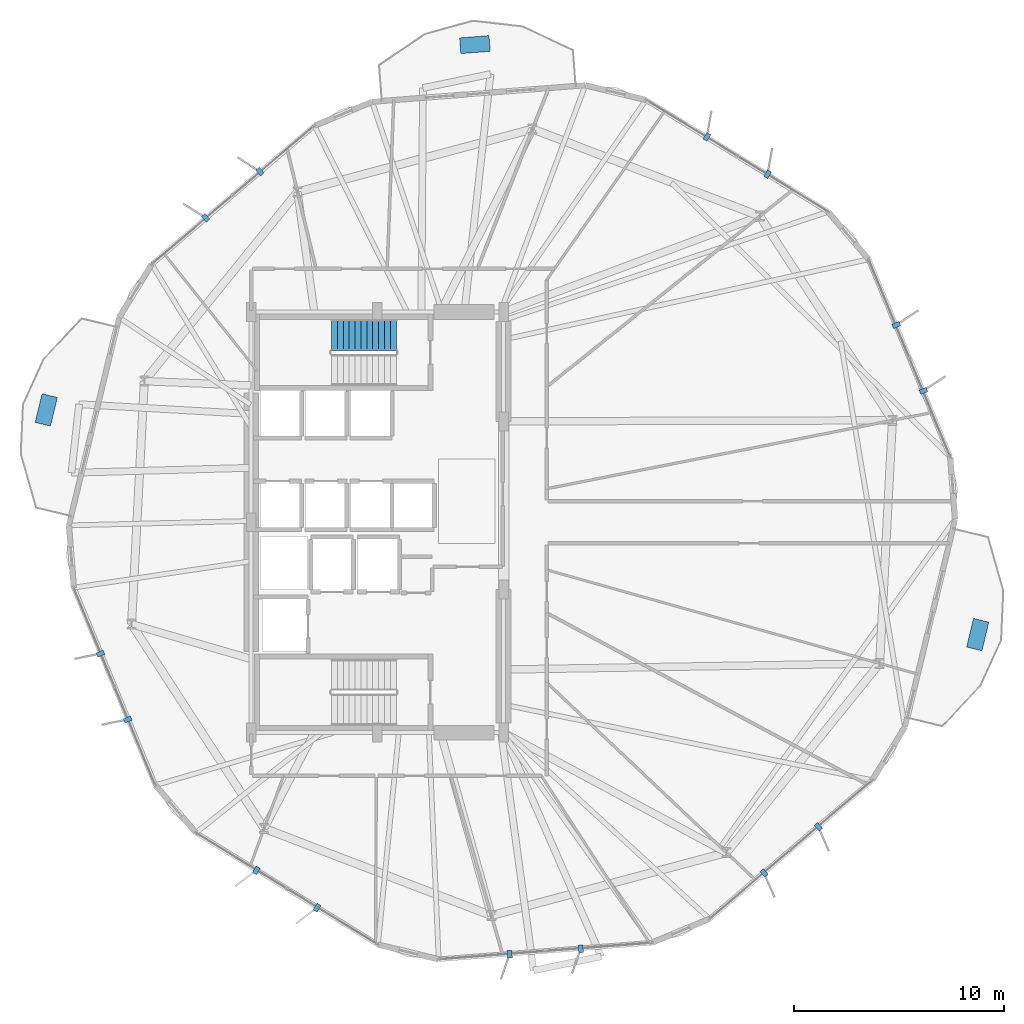
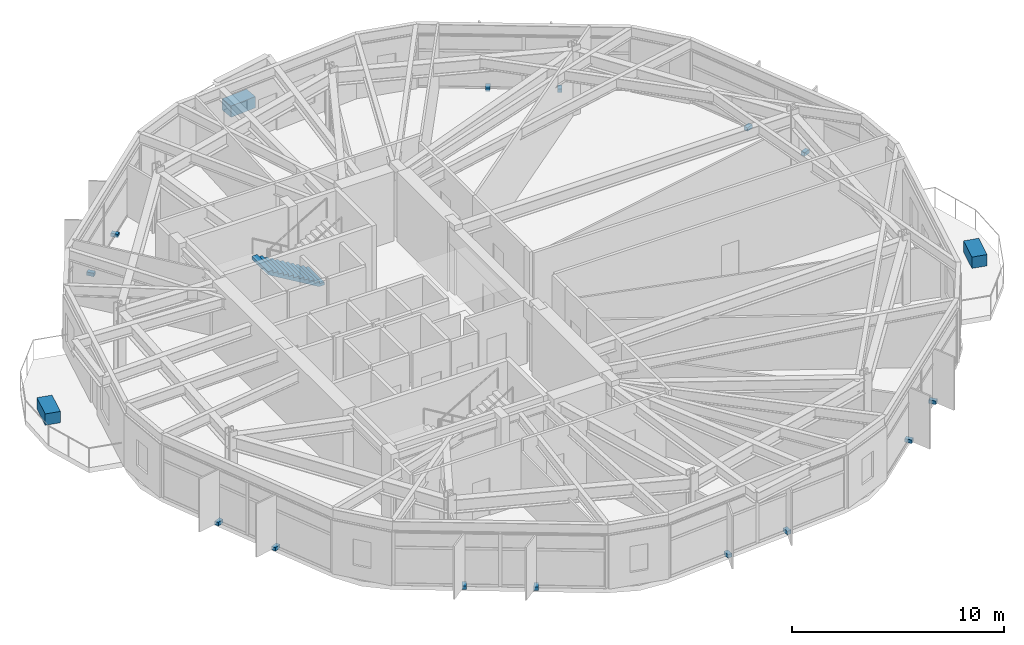
# One storey, part 19 of 22: 17 discrete accessories, 1 stair flight, 1 element without a shape of its own.
"""IFC4 building model written with IfcOpenShell, lengths in metres."""

from ifc_helpers import new_model, si_unit, direction, frame, origin, origin_2d, place, context, subcontext, project, spatial, polyline, rectangle, outline, extrude, material, layer, layer_set, type_object, element, aggregate, save


model = new_model("IFC4")

# Units and contexts
model_context = context("Model", 3, precision=1e-05, world=origin(), true_north=direction((0.0, 1.0)))
body_context = subcontext(model_context, "Body", "Model", "MODEL_VIEW")
ifc_project = project(units=[si_unit("LENGTHUNIT", "METRE"), si_unit("AREAUNIT", "SQUARE_METRE"), si_unit("VOLUMEUNIT", "CUBIC_METRE"), si_unit("PLANEANGLEUNIT", "RADIAN"), si_unit("MASSUNIT", "GRAM", prefix="KILO")], contexts=[model_context])

# Site, building, storey
site_placement = place(None, origin())
site = spatial("IfcSite", under=ifc_project, at=site_placement, CompositionType="ELEMENT")
building_placement = place(site_placement, origin())
building = spatial("IfcBuilding", under=site, at=building_placement, Name="Soratama Intermodal Tower", CompositionType="ELEMENT")
storey_placement = place(building_placement, frame((0.0, 0.0, 50.60009765625)))
storey = spatial("IfcBuildingStorey", under=building, at=storey_placement, Name="L11", CompositionType="ELEMENT", Elevation=50.60009765625)

# Stair, stair flight
ifc_material_1 = material(Name="Concrete f'c 42 MPa", Category="concrete")
stair_type = type_object("IfcStairType", Name="ST-CORE-DOGLEG", PredefinedType="HALF_TURN_STAIR", material=ifc_material_1)
stair_placement = place(storey_placement, origin())
stair = element("IfcStair", 1, at=stair_placement, inside=storey, type_object=stair_type, Name="L11 ST-2", PredefinedType="HALF_TURN_STAIR")
ifc_material_2 = material(Name="Precast concrete f'c 40 MPa", Category="concrete")
ifc_layer = layer(ifc_material_2, 0.199951171875)
ifc_layer_set = layer_set([ifc_layer], Name="Precast concrete f'c 40 MPa")
stair_flight_type = type_object("IfcStairFlightType", Name="SF-FLIGHT-RC", PredefinedType="STRAIGHT", material=ifc_layer_set)
stair_flight_placement = place(storey_placement, frame((39.5, 33.89990234375, 0.0), z_axis=(0.0, 0.0, 1.0), x_axis=(-1.0, 0.0, 0.0)))
stair_flight = element("IfcStairFlight", 2, at=stair_flight_placement, type_object=stair_flight_type, Name="ST-2 flight 1", NumberOfRisers=12, NumberOfTreads=11, PredefinedType="STRAIGHT", RiserHeight=0.166666667, TreadLength=0.28, context=body_context, shape_type="SweptSolid", body=[
    extrude(outline(polyline([(0.0, 0.0), (0.0, 0.166748046875), (0.280029296875, 0.166748046875), (0.280029296875, 0.333251953125), (0.56005859375, 0.333251953125), (0.56005859375, 0.5), (0.840087890625, 0.5), (0.840087890625, 0.666748046875), (1.1201171875, 0.666748046875), (1.1201171875, 0.833251953125), (1.39990234375, 0.833251953125), (1.39990234375, 1.0), (1.679931640625, 1.0), (1.679931640625, 1.166748046875), (1.9599609375, 1.166748046875), (1.9599609375, 1.333251953125), (2.239990234375, 1.333251953125), (2.239990234375, 1.5), (2.52001953125, 1.5), (2.52001953125, 1.666748046875), (2.800048828125, 1.666748046875), (2.800048828125, 1.833251953125), (3.080078125, 1.833251953125), (3.080078125, 2.0), (3.080078125, 1.658935546875), (0.29296875, 0.0), (0.0, 0.0)])), frame((0.0, 0.75, 0.0), z_axis=(0.0, -1.0, 0.0), x_axis=(1.0, 0.0, 0.0)), (0.0, 0.0, 1.0), 1.5),
])
aggregate(stair, [stair_flight])

# Discrete accessories
ifc_material_3 = material(Name="Structural steel ASTM A992 Grade 50", Category="steel")
discrete_accessory_type_1 = type_object("IfcDiscreteAccessoryType", Name="AC-FIN-BRACKET", PredefinedType="BRACKET", material=ifc_material_3)
for number, where, z_axis, x_axis, name in (
    (3, (64.56005859375, 31.2451171875, -0.080078125), (0.0, 0.0, 1.0), (0.924279771018, 0.381715738328, 0.0), "L11 Fin Bracket F01-1"),
    (4, (63.2666015625, 34.376708984375, -0.080078125), (0.0, 0.0, 1.0), (0.924279771018, 0.381715738328, 0.0), "L11 Fin Bracket F01-2"),
    (5, (57.153564453125, 41.54931640625, -0.080078125), (0.0, 0.0, 1.0), (0.523391160753, 0.852092537724, 0.0), "L11 Fin Bracket F02-1"),
    (6, (54.266357421875, 43.32275390625, -0.080078125), (0.0, 0.0, 1.0), (0.523391160753, 0.852092537724, 0.0), "L11 Fin Bracket F02-2"),
    (7, (33.016357421875, 41.6728515625, -0.080078125), (0.0, 0.0, 1.0), (-0.648651397111, 0.761085648942, 0.0), "L11 Fin Bracket F04-1"),
    (8, (30.4375, 39.474853515625, -0.080078125), (0.0, 0.0, 1.0), (-0.648651397111, 0.761085648942, 0.0), "L11 Fin Bracket F04-2"),
    (9, (25.43994140625, 18.7548828125, -0.080078125), (0.0, 0.0, 1.0), (-0.924279771018, -0.381715738328, 0.0), "L11 Fin Bracket F06-1"),
    (10, (26.7333984375, 15.623291015625, -0.080078125), (0.0, 0.0, 1.0), (-0.924279771018, -0.381715738328, 0.0), "L11 Fin Bracket F06-2"),
    (11, (32.846435546875, 8.45068359375, -0.080078125), (0.0, 0.0, 1.0), (-0.523391160753, -0.852092537724, 0.0), "L11 Fin Bracket F07-1"),
    (12, (35.733642578125, 6.67724609375, -0.080078125), (0.0, 0.0, 1.0), (-0.523391160753, -0.852092537724, 0.0), "L11 Fin Bracket F07-2"),
    (13, (44.89501953125, 4.467529296875, -0.080078125), (0.0, 0.0, 1.0), (0.077415083508, -0.99699894927, 0.0), "L11 Fin Bracket F08-1"),
    (14, (48.273193359375, 4.72998046875, -0.080078125), (0.0, 0.0, 1.0), (0.077415083508, -0.99699894927, 0.0), "L11 Fin Bracket F08-2"),
    (15, (56.983642578125, 8.3271484375, -0.080078125), (0.0, 0.0, 1.0), (0.648651397111, -0.761085648942, 0.0), "L11 Fin Bracket F09-1"),
    (16, (59.5625, 10.525146484375, -0.080078125), (0.0, 0.0, 1.0), (0.648651397111, -0.761085648942, 0.0), "L11 Fin Bracket F09-2"),
):
    element("IfcDiscreteAccessory", number, at=place(storey_placement, frame(where, z_axis=z_axis, x_axis=x_axis)), inside=storey, type_object=discrete_accessory_type_1, Name=name, PredefinedType="BRACKET", context=body_context, shape_type="SweptSolid", body=[
        extrude(rectangle(XDim=0.360107421875, YDim=0.219970703125, at=origin_2d()), origin(), (0.0, 0.0, 1.0), 0.199951171875),
    ])
ifc_material_4 = material(Name="Precast concrete f'c 40 MPa", Category="concrete")
discrete_accessory_type_2 = type_object("IfcDiscreteAccessoryType", Name="AC-PLANTER-TREE", PredefinedType="USERDEFINED", material=ifc_material_4)
for number, where, z_axis, x_axis, name in (
    (17, (67.137939453125, 19.66064453125, 0.0), (0.0, 0.0, 1.0), (0.972124923868, -0.234463499069, 0.0), "L11 Tree Planter 1"),
    (18, (43.237060546875, 47.704345703125, 0.0), (0.0, 0.0, 1.0), (-0.077415083508, 0.99699894927, 0.0), "L11 Tree Planter 2"),
    (19, (22.862060546875, 30.33935546875, 0.0), (0.0, 0.0, 1.0), (-0.972124923868, 0.234463499069, 0.0), "L11 Tree Planter 3"),
):
    element("IfcDiscreteAccessory", number, at=place(storey_placement, frame(where, z_axis=z_axis, x_axis=x_axis)), inside=storey, type_object=discrete_accessory_type_2, Name=name, ObjectType="PLANTER", PredefinedType="USERDEFINED", context=body_context, shape_type="SweptSolid", body=[
        extrude(rectangle(XDim=0.75, YDim=1.39990234375, at=origin_2d()), origin(), (0.0, 0.0, 1.0), 0.64990234375),
    ])

save(model, "model.ifc")
